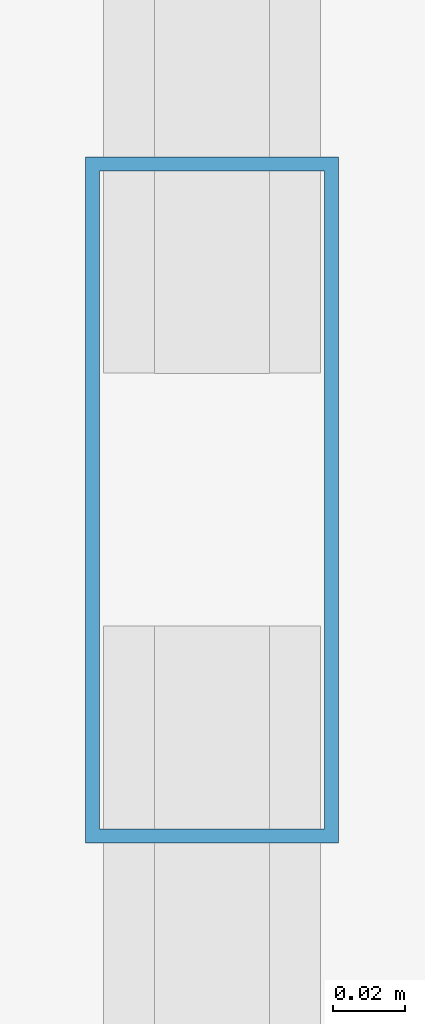
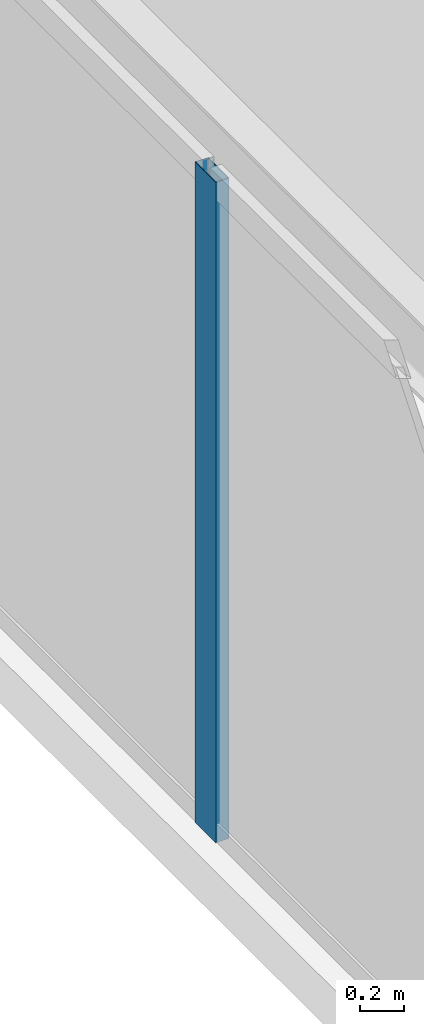
# One storey, part 10 of 31: 1 member, 1 element without a shape of its own.
"""IFC4 building model written with IfcOpenShell, lengths in metres."""

import ifcopenshell
import ifcopenshell.guid

model = None  # the IFC model being written
_history = None  # IfcOwnerHistory: only IFC2X3 demands one
_inside = {}  # id of a spatial element -> (the spatial element, [elements in it])
_under = {}  # id of a project, library or spatial element -> (it, [spatial elements below it])
_declared = {}  # id of a project -> (the project, [libraries it declares])
_typed = {}  # id of a type object -> (the type object, [elements of that type])
_made_of = {}  # id of a material, layer set ... -> (it, [elements and type objects made of it])


def new_model(schema):
    """Start an empty IFC model of exactly this schema.

    Asked for "IFC4X3", IfcOpenShell would pick the latest addendum, in which some entities
    have other attributes; the version numbers below select the first issue.
    IFC2X3 requires an IfcOwnerHistory on every rooted entity: one is made here for all.
    """
    global model, _history
    if schema == "IFC4X3":
        model = ifcopenshell.file(schema_version=(4, 3, 0, 0))
    else:
        model = ifcopenshell.file(schema=schema)
    _inside.clear()
    _under.clear()
    _declared.clear()
    _typed.clear()
    _made_of.clear()
    _history = None
    if model.schema == "IFC2X3":
        org = make("IfcOrganization", Name="unknown")
        user = make(
            "IfcPersonAndOrganization",
            ThePerson=make("IfcPerson", FamilyName="unknown"),
            TheOrganization=org,
        )
        app = make(
            "IfcApplication",
            ApplicationDeveloper=org,
            Version="unknown",
            ApplicationFullName="unknown",
            ApplicationIdentifier="unknown",
        )
        _history = make(
            "IfcOwnerHistory",
            OwningUser=user,
            OwningApplication=app,
            ChangeAction="ADDED",
            CreationDate=0,
        )
    return model


def make(cls, **values):
    """One entity of the class cls with the attributes given. An attribute that is None is left unset."""
    return model.create_entity(
        cls, **{name: value for name, value in values.items() if value is not None}
    )


def rooted(cls, **values):
    """An entity with a GlobalId (a new one), such as an element, a storey or a relation."""
    return make(cls, GlobalId=ifcopenshell.guid.new(), OwnerHistory=_history, **values)


def si_unit(unit_type, name, prefix=None):
    """IfcSIUnit, for example si_unit("LENGTHUNIT", "METRE", prefix="MILLI")."""
    return make("IfcSIUnit", UnitType=unit_type, Prefix=prefix, Name=name)


def assignment(units):
    """IfcUnitAssignment: the units of a project."""
    return None if units is None else make("IfcUnitAssignment", Units=units)


def point(xyz):
    """IfcCartesianPoint."""
    return None if xyz is None else make("IfcCartesianPoint", Coordinates=xyz)


def direction(xyz):
    """IfcDirection."""
    return None if xyz is None else make("IfcDirection", DirectionRatios=xyz)


def frame(location, z_axis=None, x_axis=None):
    """IfcAxis2Placement3D, a coordinate frame: its origin and axes. An axis left out is left unset."""
    return make(
        "IfcAxis2Placement3D",
        Location=point(location),
        Axis=direction(z_axis),
        RefDirection=direction(x_axis),
    )


def frame_2d(location, x_axis=None):
    """IfcAxis2Placement2D, a coordinate frame in the plane: its origin and x axis."""
    return make(
        "IfcAxis2Placement2D", Location=point(location), RefDirection=direction(x_axis)
    )


def origin():
    """The frame at (0, 0, 0) with its axes left unset."""
    return frame((0.0, 0.0, 0.0))


def origin_2d():
    """The frame at (0, 0) in the plane with its x axis left unset."""
    return frame_2d((0.0, 0.0))


def place(relative_to, where):
    """IfcLocalPlacement: puts the frame where relative to a parent placement (None: the world)."""
    return make(
        "IfcLocalPlacement", PlacementRelTo=relative_to, RelativePlacement=where
    )


def context(
    kind, dimensions, precision=None, world=None, true_north=None, identifier=None
):
    """IfcGeometricRepresentationContext, for example the 3D "Model" context."""
    return make(
        "IfcGeometricRepresentationContext",
        ContextIdentifier=identifier,
        ContextType=kind,
        CoordinateSpaceDimension=dimensions,
        Precision=precision,
        WorldCoordinateSystem=world,
        TrueNorth=true_north,
    )


def subcontext(parent, identifier, kind, view, scale=None):
    """IfcGeometricRepresentationSubContext, for example "Body" below "Model"."""
    return make(
        "IfcGeometricRepresentationSubContext",
        ContextIdentifier=identifier,
        ContextType=kind,
        ParentContext=parent,
        TargetScale=scale,
        TargetView=view,
    )


def project(units=None, contexts=None):
    """IfcProject with its units and contexts."""
    return rooted(
        "IfcProject",
        Name="project",
        RepresentationContexts=contexts,
        UnitsInContext=assignment(units),
    )


def spatial(cls, under=None, at=None, **own):
    """A site, building, storey or space (cls), placed at a placement, below another one or the project."""
    s = rooted(cls, ObjectPlacement=at, **own)
    if under is not None:
        _under.setdefault(under.id(), (under, []))[1].append(s)
    return s


def profile(cls, at=None, kind="AREA", **sizes):
    """A parametric profile (cls). Its sizes go by their IFC names, for example OverallWidth=200.0."""
    return make(cls, ProfileType=kind, Position=at, **sizes)


def hollow_rectangle(**sizes):
    """IfcRectangleHollowProfileDef."""
    return profile("IfcRectangleHollowProfileDef", **sizes)


def extrude(swept, where, along, depth):
    """IfcExtrudedAreaSolid: the profile swept, set in the frame where, extruded along a direction by depth."""
    return make(
        "IfcExtrudedAreaSolid",
        SweptArea=swept,
        Position=where,
        ExtrudedDirection=direction(along),
        Depth=depth,
    )


def shape(context_of_items, identifier, shape_type, items):
    """IfcShapeRepresentation: the items that make up one representation, for example the "Body"."""
    return make(
        "IfcShapeRepresentation",
        ContextOfItems=context_of_items,
        RepresentationIdentifier=identifier,
        RepresentationType=shape_type,
        Items=items,
    )


def source(mapping_origin, context_of_items, identifier, shape_type, items):
    """IfcRepresentationMap: a shape defined once, which mapped items show again and again."""
    return make(
        "IfcRepresentationMap",
        MappingOrigin=mapping_origin,
        MappedRepresentation=shape(context_of_items, identifier, shape_type, items),
    )


def transform(
    local_origin,
    x_axis=None,
    y_axis=None,
    z_axis=None,
    scale=None,
    scale2=None,
    scale3=None,
    uniform=True,
):
    """IfcCartesianTransformationOperator3D, or its non-uniform kind. x_axis, y_axis, z_axis: its Axis1, 2, 3."""
    if uniform:
        return make(
            "IfcCartesianTransformationOperator3D",
            Axis1=direction(x_axis),
            Axis2=direction(y_axis),
            LocalOrigin=point(local_origin),
            Scale=scale,
            Axis3=direction(z_axis),
        )
    return make(
        "IfcCartesianTransformationOperator3DnonUniform",
        Axis1=direction(x_axis),
        Axis2=direction(y_axis),
        LocalOrigin=point(local_origin),
        Scale=scale,
        Axis3=direction(z_axis),
        Scale2=scale2,
        Scale3=scale3,
    )


def mapped(mapping_source, mapping_target):
    """IfcMappedItem: shows the shape of a source again, moved by a transform."""
    return make(
        "IfcMappedItem", MappingSource=mapping_source, MappingTarget=mapping_target
    )


def material(Name=None, Category=None):
    """IfcMaterial."""
    return make("IfcMaterial", Name=Name, Category=Category)


def layer(
    of_material, thickness, ventilated=None, Name=None, Category=None, Priority=None
):
    """IfcMaterialLayer: one layer of a wall or slab, of a material (None: an air gap)."""
    return make(
        "IfcMaterialLayer",
        Material=of_material,
        LayerThickness=thickness,
        IsVentilated=ventilated,
        Name=Name,
        Category=Category,
        Priority=Priority,
    )


def layer_set(layers, Name=None):
    """IfcMaterialLayerSet."""
    return make("IfcMaterialLayerSet", MaterialLayers=layers, LayerSetName=Name)


def material_profile(
    of_material, cross_section, Name=None, Category=None, Priority=None
):
    """IfcMaterialProfile: a cross section and its material."""
    return make(
        "IfcMaterialProfile",
        Name=Name,
        Material=of_material,
        Profile=cross_section,
        Priority=Priority,
        Category=Category,
    )


def profile_set(profiles, Name=None, composite=None):
    """IfcMaterialProfileSet."""
    return make(
        "IfcMaterialProfileSet",
        Name=Name,
        MaterialProfiles=profiles,
        CompositeProfile=composite,
    )


def made_of(thing, what):
    """Note that an element or type object is made of a material, layer set ...; save() writes the relation."""
    if what is not None:
        _made_of.setdefault(what.id(), (what, []))[1].append(thing)
    return thing


def type_object(cls, material=None, **own):
    """A type object (cls), such as IfcWallType, which elements share."""
    return made_of(rooted(cls, **own), material)


def type_shapes(of_type, sources):
    """Give a type object the sources (RepresentationMaps) that its elements show as mapped items."""
    of_type.RepresentationMaps = sources


def element(
    cls,
    number,
    at=None,
    inside=None,
    cuts=None,
    type_object=None,
    material=None,
    context=None,
    identifier="Body",
    shape_type=None,
    held_by="IfcProductDefinitionShape",
    body=None,
    shapes=None,
    **own,
):
    """One element of the class cls, such as IfcWall. Its Tag is "e" and its number.

    at: its placement. inside: the storey or other place that contains it. cuts: it is an
    opening in that element (IfcRelVoidsElement). A single representation is given by context,
    identifier, shape_type and body (its items); several are given by shapes. held_by: the class
    of the entity that holds the representations. save() writes the other relations.
    """
    e = rooted(cls, Tag="e%d" % number, ObjectPlacement=at, **own)
    if body is not None:
        shapes = [shape(context, identifier, shape_type, body)]
    if shapes is not None:
        e.Representation = make(held_by, Representations=shapes)
    if inside is not None:
        _inside.setdefault(inside.id(), (inside, []))[1].append(e)
    if cuts is not None:
        rooted(
            "IfcRelVoidsElement", RelatingBuildingElement=cuts, RelatedOpeningElement=e
        )
    if type_object is not None:
        _typed.setdefault(type_object.id(), (type_object, []))[1].append(e)
    return made_of(e, material)


def aggregate(whole, parts):
    """IfcRelAggregates: a whole, such as a stair, and the parts it consists of."""
    return rooted("IfcRelAggregates", RelatingObject=whole, RelatedObjects=parts)


def save(model, path):
    """Write the relations noted so far, then the file.

    IfcRelAggregates (storeys below a building ...), IfcRelContainedInSpatialStructure (elements
    in a storey), IfcRelDefinesByType, IfcRelAssociatesMaterial and IfcRelDeclares: one each for
    every whole, place, type object, material and project.
    """
    for whole, parts in _under.values():
        aggregate(whole, parts)
    for where, things in _inside.values():
        rooted(
            "IfcRelContainedInSpatialStructure",
            RelatedElements=things,
            RelatingStructure=where,
        )
    for kind, things in _typed.values():
        rooted("IfcRelDefinesByType", RelatedObjects=things, RelatingType=kind)
    for what, things in _made_of.values():
        rooted("IfcRelAssociatesMaterial", RelatedObjects=things, RelatingMaterial=what)
    for by, libraries in _declared.values():
        rooted("IfcRelDeclares", RelatingContext=by, RelatedDefinitions=libraries)
    model.write(path)


model = new_model("IFC4")

# Units and contexts
model_context = context("Model", 3, precision=1e-05, world=origin(), true_north=direction((0.0, 1.0)))
body_context = subcontext(model_context, "Body", "Model", "MODEL_VIEW")
ifc_project = project(units=[si_unit("LENGTHUNIT", "METRE"), si_unit("AREAUNIT", "SQUARE_METRE"), si_unit("VOLUMEUNIT", "CUBIC_METRE"), si_unit("PLANEANGLEUNIT", "RADIAN"), si_unit("MASSUNIT", "GRAM", prefix="KILO")], contexts=[model_context])

# Site, building, storey
site_placement = place(None, origin())
site = spatial("IfcSite", under=ifc_project, at=site_placement, CompositionType="ELEMENT")
building_placement = place(site_placement, origin())
building = spatial("IfcBuilding", under=site, at=building_placement, Name="Varnel Quay Broadcast Tower", CompositionType="ELEMENT")
storey_placement = place(building_placement, frame((0.0, 0.0, 35.39990234375)))
storey = spatial("IfcBuildingStorey", under=building, at=storey_placement, Name="L07", CompositionType="ELEMENT", Elevation=35.39990234375)

# Curtain wall, member
ifc_material = material(Name="Anodised Bronze Aluminium 6063-T6", Category="aluminium")
ifc_layer = layer(ifc_material, 0.18994140625, Name="Anodised Bronze Aluminium 6063-T6")
ifc_layer_set = layer_set([ifc_layer], Name="Anodised Bronze Aluminium 6063-T6")
curtain_wall_type = type_object("IfcCurtainWallType", Name="CW_LowerTower", PredefinedType="NOTDEFINED", material=ifc_layer_set)
curtain_wall_placement = place(storey_placement, origin())
curtain_wall = element("IfcCurtainWall", 1, at=curtain_wall_placement, inside=storey, type_object=curtain_wall_type, Name="L07 West Unitised Curtain Wall", PredefinedType="NOTDEFINED")
ifc_material_profile = material_profile(ifc_material, hollow_rectangle(XDim=0.070068359375, YDim=0.18994140625, WallThickness=0.00390625, at=origin_2d()), Name="ALU70X190X4")
ifc_profile_set = profile_set([ifc_material_profile], Name="Anodised Bronze Aluminium 6063-T6")
member_type = type_object("IfcMemberType", Name="Mull_CWS-02", PredefinedType="MULLION", material=ifc_profile_set)
shared_shape = source(origin(), body_context, "Body", "SweptSolid", [
    extrude(hollow_rectangle(XDim=0.070068359375, YDim=0.18994140625, WallThickness=0.00390625, at=origin_2d()), origin(), (0.0, 0.0, 1.0), 3.650146484375),
])
type_shapes(member_type, [shared_shape])
member_placement = place(storey_placement, frame((2.14990234375, 30.39990234375, 0.0), z_axis=(0.0, 0.0, 1.0), x_axis=(-1.0, 0.0, 0.0)))
member = element("IfcMember", 2, at=member_placement, type_object=member_type, Name="CWS-02 mullion 3", PredefinedType="MULLION", context=body_context, shape_type="MappedRepresentation", body=[
    mapped(shared_shape, transform((0.0, 0.0, 0.0), x_axis=(1.0, 0.0, 0.0), y_axis=(0.0, 1.0, 0.0), z_axis=(0.0, 0.0, 1.0), scale=1.0)),
])
aggregate(curtain_wall, [member])

save(model, "model.ifc")
